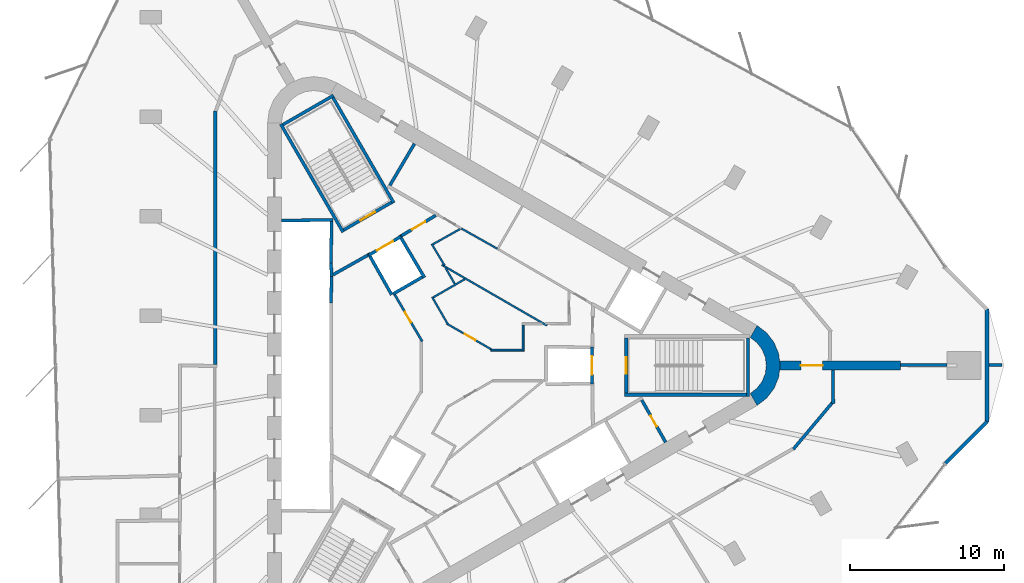
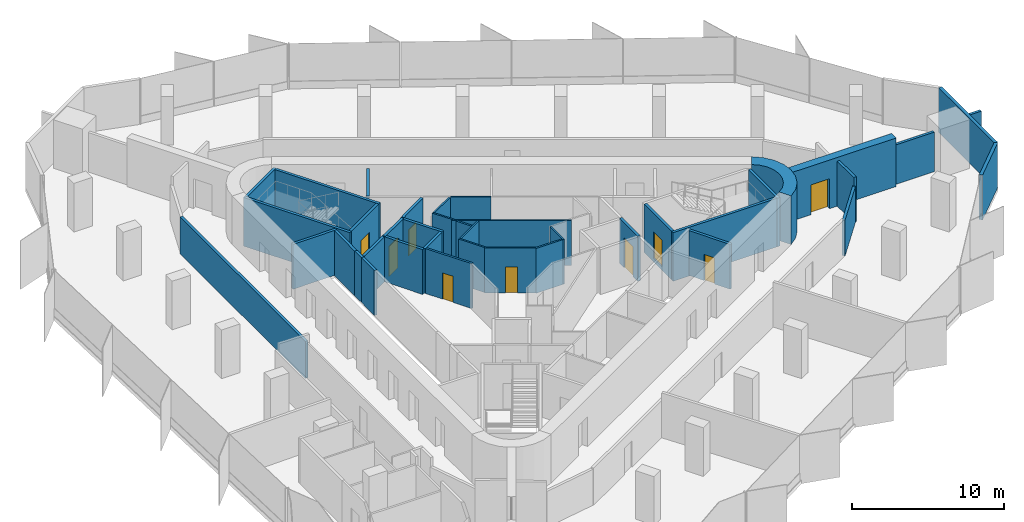
# One storey, part 9 of 12: 40 walls, 9 doors, 9 openings.
"""IFC4 building model written with IfcOpenShell, lengths in metres."""

import ifcopenshell
import ifcopenshell.guid

model = None  # the IFC model being written
_history = None  # IfcOwnerHistory: only IFC2X3 demands one
_inside = {}  # id of a spatial element -> (the spatial element, [elements in it])
_under = {}  # id of a project, library or spatial element -> (it, [spatial elements below it])
_declared = {}  # id of a project -> (the project, [libraries it declares])
_typed = {}  # id of a type object -> (the type object, [elements of that type])
_made_of = {}  # id of a material, layer set ... -> (it, [elements and type objects made of it])


def new_model(schema):
    """Start an empty IFC model of exactly this schema.

    Asked for "IFC4X3", IfcOpenShell would pick the latest addendum, in which some entities
    have other attributes; the version numbers below select the first issue.
    IFC2X3 requires an IfcOwnerHistory on every rooted entity: one is made here for all.
    """
    global model, _history
    if schema == "IFC4X3":
        model = ifcopenshell.file(schema_version=(4, 3, 0, 0))
    else:
        model = ifcopenshell.file(schema=schema)
    _inside.clear()
    _under.clear()
    _declared.clear()
    _typed.clear()
    _made_of.clear()
    _history = None
    if model.schema == "IFC2X3":
        org = make("IfcOrganization", Name="unknown")
        user = make(
            "IfcPersonAndOrganization",
            ThePerson=make("IfcPerson", FamilyName="unknown"),
            TheOrganization=org,
        )
        app = make(
            "IfcApplication",
            ApplicationDeveloper=org,
            Version="unknown",
            ApplicationFullName="unknown",
            ApplicationIdentifier="unknown",
        )
        _history = make(
            "IfcOwnerHistory",
            OwningUser=user,
            OwningApplication=app,
            ChangeAction="ADDED",
            CreationDate=0,
        )
    return model


def make(cls, **values):
    """One entity of the class cls with the attributes given. An attribute that is None is left unset."""
    return model.create_entity(
        cls, **{name: value for name, value in values.items() if value is not None}
    )


def rooted(cls, **values):
    """An entity with a GlobalId (a new one), such as an element, a storey or a relation."""
    return make(cls, GlobalId=ifcopenshell.guid.new(), OwnerHistory=_history, **values)


def si_unit(unit_type, name, prefix=None):
    """IfcSIUnit, for example si_unit("LENGTHUNIT", "METRE", prefix="MILLI")."""
    return make("IfcSIUnit", UnitType=unit_type, Prefix=prefix, Name=name)


def assignment(units):
    """IfcUnitAssignment: the units of a project."""
    return None if units is None else make("IfcUnitAssignment", Units=units)


def point(xyz):
    """IfcCartesianPoint."""
    return None if xyz is None else make("IfcCartesianPoint", Coordinates=xyz)


def direction(xyz):
    """IfcDirection."""
    return None if xyz is None else make("IfcDirection", DirectionRatios=xyz)


def frame(location, z_axis=None, x_axis=None):
    """IfcAxis2Placement3D, a coordinate frame: its origin and axes. An axis left out is left unset."""
    return make(
        "IfcAxis2Placement3D",
        Location=point(location),
        Axis=direction(z_axis),
        RefDirection=direction(x_axis),
    )


def frame_2d(location, x_axis=None):
    """IfcAxis2Placement2D, a coordinate frame in the plane: its origin and x axis."""
    return make(
        "IfcAxis2Placement2D", Location=point(location), RefDirection=direction(x_axis)
    )


def origin():
    """The frame at (0, 0, 0) with its axes left unset."""
    return frame((0.0, 0.0, 0.0))


def place(relative_to, where):
    """IfcLocalPlacement: puts the frame where relative to a parent placement (None: the world)."""
    return make(
        "IfcLocalPlacement", PlacementRelTo=relative_to, RelativePlacement=where
    )


def context(
    kind, dimensions, precision=None, world=None, true_north=None, identifier=None
):
    """IfcGeometricRepresentationContext, for example the 3D "Model" context."""
    return make(
        "IfcGeometricRepresentationContext",
        ContextIdentifier=identifier,
        ContextType=kind,
        CoordinateSpaceDimension=dimensions,
        Precision=precision,
        WorldCoordinateSystem=world,
        TrueNorth=true_north,
    )


def subcontext(parent, identifier, kind, view, scale=None):
    """IfcGeometricRepresentationSubContext, for example "Body" below "Model"."""
    return make(
        "IfcGeometricRepresentationSubContext",
        ContextIdentifier=identifier,
        ContextType=kind,
        ParentContext=parent,
        TargetScale=scale,
        TargetView=view,
    )


def project(units=None, contexts=None):
    """IfcProject with its units and contexts."""
    return rooted(
        "IfcProject",
        Name="project",
        RepresentationContexts=contexts,
        UnitsInContext=assignment(units),
    )


def spatial(cls, under=None, at=None, **own):
    """A site, building, storey or space (cls), placed at a placement, below another one or the project."""
    s = rooted(cls, ObjectPlacement=at, **own)
    if under is not None:
        _under.setdefault(under.id(), (under, []))[1].append(s)
    return s


def polyline(points):
    """IfcPolyline through the points."""
    return make("IfcPolyline", Points=[point(p) for p in points])


def profile(cls, at=None, kind="AREA", **sizes):
    """A parametric profile (cls). Its sizes go by their IFC names, for example OverallWidth=200.0."""
    return make(cls, ProfileType=kind, Position=at, **sizes)


def rectangle(**sizes):
    """IfcRectangleProfileDef."""
    return profile("IfcRectangleProfileDef", **sizes)


def outline(outer, holes=None, kind="AREA"):
    """IfcArbitraryClosedProfileDef: a profile drawn as a closed curve; with holes, ...WithVoids."""
    if holes is None:
        return make("IfcArbitraryClosedProfileDef", ProfileType=kind, OuterCurve=outer)
    return make(
        "IfcArbitraryProfileDefWithVoids",
        ProfileType=kind,
        OuterCurve=outer,
        InnerCurves=holes,
    )


def extrude(swept, where, along, depth):
    """IfcExtrudedAreaSolid: the profile swept, set in the frame where, extruded along a direction by depth."""
    return make(
        "IfcExtrudedAreaSolid",
        SweptArea=swept,
        Position=where,
        ExtrudedDirection=direction(along),
        Depth=depth,
    )


def shape(context_of_items, identifier, shape_type, items):
    """IfcShapeRepresentation: the items that make up one representation, for example the "Body"."""
    return make(
        "IfcShapeRepresentation",
        ContextOfItems=context_of_items,
        RepresentationIdentifier=identifier,
        RepresentationType=shape_type,
        Items=items,
    )


def material(Name=None, Category=None):
    """IfcMaterial."""
    return make("IfcMaterial", Name=Name, Category=Category)


def layer(
    of_material, thickness, ventilated=None, Name=None, Category=None, Priority=None
):
    """IfcMaterialLayer: one layer of a wall or slab, of a material (None: an air gap)."""
    return make(
        "IfcMaterialLayer",
        Material=of_material,
        LayerThickness=thickness,
        IsVentilated=ventilated,
        Name=Name,
        Category=Category,
        Priority=Priority,
    )


def layer_set(layers, Name=None):
    """IfcMaterialLayerSet."""
    return make("IfcMaterialLayerSet", MaterialLayers=layers, LayerSetName=Name)


def made_of(thing, what):
    """Note that an element or type object is made of a material, layer set ...; save() writes the relation."""
    if what is not None:
        _made_of.setdefault(what.id(), (what, []))[1].append(thing)
    return thing


def type_object(cls, material=None, **own):
    """A type object (cls), such as IfcWallType, which elements share."""
    return made_of(rooted(cls, **own), material)


def element(
    cls,
    number,
    at=None,
    inside=None,
    cuts=None,
    type_object=None,
    material=None,
    context=None,
    identifier="Body",
    shape_type=None,
    held_by="IfcProductDefinitionShape",
    body=None,
    shapes=None,
    **own,
):
    """One element of the class cls, such as IfcWall. Its Tag is "e" and its number.

    at: its placement. inside: the storey or other place that contains it. cuts: it is an
    opening in that element (IfcRelVoidsElement). A single representation is given by context,
    identifier, shape_type and body (its items); several are given by shapes. held_by: the class
    of the entity that holds the representations. save() writes the other relations.
    """
    e = rooted(cls, Tag="e%d" % number, ObjectPlacement=at, **own)
    if body is not None:
        shapes = [shape(context, identifier, shape_type, body)]
    if shapes is not None:
        e.Representation = make(held_by, Representations=shapes)
    if inside is not None:
        _inside.setdefault(inside.id(), (inside, []))[1].append(e)
    if cuts is not None:
        rooted(
            "IfcRelVoidsElement", RelatingBuildingElement=cuts, RelatedOpeningElement=e
        )
    if type_object is not None:
        _typed.setdefault(type_object.id(), (type_object, []))[1].append(e)
    return made_of(e, material)


def fill(opening, filler):
    """IfcRelFillsElement: the door or window that sits in an opening."""
    return rooted(
        "IfcRelFillsElement",
        RelatingOpeningElement=opening,
        RelatedBuildingElement=filler,
    )


def aggregate(whole, parts):
    """IfcRelAggregates: a whole, such as a stair, and the parts it consists of."""
    return rooted("IfcRelAggregates", RelatingObject=whole, RelatedObjects=parts)


def save(model, path):
    """Write the relations noted so far, then the file.

    IfcRelAggregates (storeys below a building ...), IfcRelContainedInSpatialStructure (elements
    in a storey), IfcRelDefinesByType, IfcRelAssociatesMaterial and IfcRelDeclares: one each for
    every whole, place, type object, material and project.
    """
    for whole, parts in _under.values():
        aggregate(whole, parts)
    for where, things in _inside.values():
        rooted(
            "IfcRelContainedInSpatialStructure",
            RelatedElements=things,
            RelatingStructure=where,
        )
    for kind, things in _typed.values():
        rooted("IfcRelDefinesByType", RelatedObjects=things, RelatingType=kind)
    for what, things in _made_of.values():
        rooted("IfcRelAssociatesMaterial", RelatedObjects=things, RelatingMaterial=what)
    for by, libraries in _declared.values():
        rooted("IfcRelDeclares", RelatingContext=by, RelatedDefinitions=libraries)
    model.write(path)


model = new_model("IFC4")

# Units and contexts
model_context = context("Model", 3, precision=1e-05, world=origin(), true_north=direction((0.0, 1.0)))
body_context = subcontext(model_context, "Body", "Model", "MODEL_VIEW")
ifc_project = project(units=[si_unit("LENGTHUNIT", "METRE"), si_unit("AREAUNIT", "SQUARE_METRE"), si_unit("VOLUMEUNIT", "CUBIC_METRE"), si_unit("PLANEANGLEUNIT", "RADIAN"), si_unit("MASSUNIT", "GRAM", prefix="KILO")], contexts=[model_context])

# Site, building, storey
site_placement = place(None, origin())
site = spatial("IfcSite", under=ifc_project, at=site_placement, CompositionType="ELEMENT")
building_placement = place(site_placement, origin())
building = spatial("IfcBuilding", under=site, at=building_placement, Name="Tanit Gate Tower", CompositionType="ELEMENT")
storey_placement = place(building_placement, frame((0.0, 0.0, 345.5)))
storey = spatial("IfcBuildingStorey", under=building, at=storey_placement, Name="L78", CompositionType="ELEMENT", Elevation=345.5)

# Wall, opening, door
ifc_material_1 = material(Name="Concrete C40/50", Category="concrete")
ifc_layer_1 = layer(ifc_material_1, 0.60009765625)
ifc_layer_set_1 = layer_set([ifc_layer_1], Name="BUTTRESS FIN 600 C40/50")
wall_type_1 = type_object("IfcWallType", Name="BUTTRESS FIN 600 C40/50", PredefinedType="SHEAR", material=ifc_layer_set_1)
wall_1_placement = place(storey_placement, frame((21.14990234375, 0.0, 0.0), z_axis=(0.0, 0.0, 1.0), x_axis=(1.0, 0.0, 0.0)))
wall_1 = element("IfcWall", 1, at=wall_1_placement, inside=storey, type_object=wall_type_1, Name="BUTTRESS FIN", PredefinedType="SHEAR", context=body_context, shape_type="SweptSolid", body=[
    extrude(rectangle(XDim=7.8544921875, YDim=0.60009765625, at=frame_2d((3.92724609375, 0.0))), origin(), (0.0, 0.0, 1.0), 3.89990234375),
])
opening_1_placement = place(wall_1_placement, frame((1.39990234375, 0.0, 0.0)))
opening_1 = element("IfcOpeningElement", 2, at=opening_1_placement, cuts=wall_1, Name="Opening P14-S22-F-E-1", PredefinedType="OPENING", context=body_context, shape_type="SweptSolid", body=[
    extrude(rectangle(XDim=1.39990234375, YDim=2.39990234375, at=frame_2d((0.699951171875, 1.199951171875))), frame((0.0, 0.31005859375, 0.0), z_axis=(0.0, -1.0, 0.0), x_axis=(1.0, 0.0, 0.0)), (0.0, 0.0, 1.0), 0.6201171875),
])
ifc_material_2 = material(Name="Timber door leaf", Category="wood")
door_type_1 = type_object("IfcDoorType", Name="INT-DOOR-FIN-PAIR-1400", OperationType="NOTDEFINED", PredefinedType="NOTDEFINED", material=ifc_material_2)
door_1_placement = place(opening_1_placement, origin())
door_1 = element("IfcDoor", 3, at=door_1_placement, inside=storey, type_object=door_type_1, Name="Door P14-S22-F-E-1", OperationType="DOUBLE_DOOR_SINGLE_SWING", OverallHeight=2.39990234375, OverallWidth=1.39990234375, PredefinedType="NOTDEFINED", context=body_context, shape_type="SweptSolid", body=[
    extrude(rectangle(XDim=1.39990234375, YDim=2.39990234375, at=frame_2d((0.699951171875, 1.199951171875))), frame((0.0, 0.02490234375, 0.0), z_axis=(0.0, -1.0, 0.0), x_axis=(1.0, 0.0, 0.0)), (0.0, 0.0, 1.0), 0.050048828125),
])
fill(opening_1, door_1)

# Walls
ifc_material_3 = material(Name="Concrete C40/50", Category="concrete")
ifc_layer_2 = layer(ifc_material_3, 0.89990234375)
ifc_layer_set_2 = layer_set([ifc_layer_2], Name="CORE WALL 900 C40/50")
wall_type_2 = type_object("IfcWallType", Name="CORE WALL 900 C40/50", PredefinedType="SHEAR", material=ifc_layer_set_2)
wall_2_placement = place(storey_placement, origin())
element("IfcWall", 4, at=wall_2_placement, inside=storey, type_object=wall_type_2, Name="CORE WALL CORNER", PredefinedType="SHEAR", context=body_context, shape_type="SweptSolid", body=[
    extrude(outline(polyline([(19.699951171875, -2.59814453125), (20.3212890625, -2.121337890625), (20.798095703125, -1.5), (21.097900390625, -0.776611328125), (21.199951171875, 0.0), (21.097900390625, 0.776611328125), (20.798095703125, 1.5), (20.3212890625, 2.121337890625), (19.699951171875, 2.59814453125), (19.25, 1.818603515625), (19.684814453125, 1.48486328125), (20.018798828125, 1.050048828125), (20.228515625, 0.54345703125), (20.300048828125, 0.0), (20.228515625, -0.54345703125), (20.018798828125, -1.050048828125), (19.684814453125, -1.48486328125), (19.25, -1.818603515625), (19.699951171875, -2.59814453125)])), origin(), (0.0, 0.0, 1.0), 3.89990234375),
])
ifc_material_4 = material(Name="Concrete C30/37 with bronze anodised aluminium cladding", Category="concrete")
ifc_layer_3 = layer(ifc_material_4, 0.239990234375)
ifc_layer_set_3 = layer_set([ifc_layer_3], Name="Facade wall bronze clad 240")
wall_type_3 = type_object("IfcWallType", Name="Facade wall bronze clad 240", PredefinedType="SOLIDWALL", material=ifc_layer_set_3)
wall_3_placement = place(storey_placement, frame((31.927001953125, -6.367431640625, 0.0), z_axis=(0.0, 0.0, 1.0), x_axis=(0.707074898653, 0.707138662283, 0.0)))
element("IfcWall", 5, at=wall_3_placement, inside=storey, type_object=wall_type_3, Name="Bronze-clad facade wall L78 E.arc1", PredefinedType="SOLIDWALL", context=body_context, shape_type="SweptSolid", body=[
    extrude(rectangle(XDim=3.828857421875, YDim=0.239990234375, at=frame_2d((1.91455078125, 0.0))), origin(), (0.0, 0.0, 1.0), 3.60009765625),
])
wall_4_placement = place(storey_placement, frame((34.63427734375, -3.659912109375, 0.0), z_axis=(0.0, 0.0, 1.0), x_axis=(0.0, 1.0, 0.0)))
element("IfcWall", 6, at=wall_4_placement, inside=storey, type_object=wall_type_3, Name="Bronze-clad facade wall L78 E.arc2", PredefinedType="SOLIDWALL", context=body_context, shape_type="SweptSolid", body=[
    extrude(rectangle(XDim=7.31982421875, YDim=0.239990234375, at=frame_2d((3.659912109375, 0.0))), origin(), (0.0, 0.0, 1.0), 3.60009765625),
])
ifc_material_5 = material(Name="Fire-rated gypsum board partition")
ifc_layer_4 = layer(ifc_material_5, 0.199951171875)
ifc_layer_set_4 = layer_set([ifc_layer_4], Name="INT-WALL-COMPARTMENT")
wall_type_4 = type_object("IfcWallType", Name="INT-WALL-COMPARTMENT", PredefinedType="PARTITIONING", material=ifc_layer_set_4)
wall_5_placement = place(storey_placement, frame((-2.557861328125, 14.409423828125, 0.0), z_axis=(0.0, 0.0, 1.0), x_axis=(-0.508018930956, -0.861345903683, 0.0)))
element("IfcWall", 7, at=wall_5_placement, inside=storey, type_object=wall_type_4, Name="Wall Compartment W049", PredefinedType="PARTITIONING", context=body_context, shape_type="SweptSolid", body=[
    extrude(rectangle(XDim=3.150146484375, YDim=0.199951171875, at=frame_2d((1.5751953125, 0.0))), origin(), (0.0, 0.0, 1.0), 3.60009765625),
])

# Wall, opening, door
wall_6_placement = place(storey_placement, frame((13.758056640625, -4.989501953125, 0.0), z_axis=(0.0, 0.0, 1.0), x_axis=(-0.491993409184, 0.87059892334, 0.0)))
wall_6 = element("IfcWall", 8, at=wall_6_placement, inside=storey, type_object=wall_type_4, Name="Wall Compartment W061", PredefinedType="PARTITIONING", context=body_context, shape_type="SweptSolid", body=[
    extrude(rectangle(XDim=3.150146484375, YDim=0.199951171875, at=frame_2d((1.5751953125, 0.0))), origin(), (0.0, 0.0, 1.0), 3.60009765625),
])
opening_2_placement = place(wall_6_placement, frame((1.175048828125, 0.0, 0.0)))
opening_2 = element("IfcOpeningElement", 9, at=opening_2_placement, cuts=wall_6, Name="Opening R08-S22-20", PredefinedType="OPENING", context=body_context, shape_type="SweptSolid", body=[
    extrude(rectangle(XDim=0.800048828125, YDim=2.10009765625, at=frame_2d((0.39990234375, 1.050048828125))), frame((0.0, 0.10986328125, 0.0), z_axis=(0.0, -1.0, 0.0), x_axis=(1.0, 0.0, 0.0)), (0.0, 0.0, 1.0), 0.219970703125),
])
ifc_material_6 = material(Name="Timber door leaf", Category="wood")
door_type_2 = type_object("IfcDoorType", Name="INT-DOOR-RISER-800", OperationType="NOTDEFINED", PredefinedType="USERDEFINED", material=ifc_material_6)
door_2_placement = place(opening_2_placement, origin())
door_2 = element("IfcDoor", 10, at=door_2_placement, inside=storey, type_object=door_type_2, Name="Door R08-S22-20", ObjectType="FIRE DOOR", OperationType="SINGLE_SWING_RIGHT", OverallHeight=2.10009765625, OverallWidth=0.800048828125, PredefinedType="USERDEFINED", context=body_context, shape_type="SweptSolid", body=[
    extrude(rectangle(XDim=0.800048828125, YDim=2.10009765625, at=frame_2d((0.39990234375, 1.050048828125))), frame((0.0, 0.02490234375, 0.0), z_axis=(0.0, -1.0, 0.0), x_axis=(1.0, 0.0, 0.0)), (0.0, 0.0, 1.0), 0.050048828125),
])
fill(opening_2, door_2)

# Wall
wall_7_placement = place(storey_placement, frame((-5.600341796875, 7.16015625, 0.0), z_axis=(0.0, 0.0, 1.0), x_axis=(-0.871340486379, -0.490678873396, 0.0)))
element("IfcWall", 11, at=wall_7_placement, inside=storey, type_object=wall_type_4, Name="Wall Compartment W064", PredefinedType="PARTITIONING", context=body_context, shape_type="SweptSolid", body=[
    extrude(rectangle(XDim=2.580810546875, YDim=0.199951171875, at=frame_2d((1.29052734375, 0.0))), origin(), (0.0, 0.0, 1.0), 3.60009765625),
])

# Wall, opening, door
wall_8_placement = place(storey_placement, frame((-1.1787109375, 9.744873046875, 0.0), z_axis=(0.0, 0.0, 1.0), x_axis=(-0.860630814782, -0.509229418482, 0.0)))
wall_8 = element("IfcWall", 12, at=wall_8_placement, inside=storey, type_object=wall_type_4, Name="Wall Compartment W065", PredefinedType="PARTITIONING", context=body_context, shape_type="SweptSolid", body=[
    extrude(rectangle(XDim=2.581787109375, YDim=0.199951171875, at=frame_2d((1.291015625, 0.0))), origin(), (0.0, 0.0, 1.0), 3.60009765625),
])
opening_3_placement = place(wall_8_placement, frame((0.791015625, 0.0, 0.0)))
opening_3 = element("IfcOpeningElement", 13, at=opening_3_placement, cuts=wall_8, Name="Opening F10-S22-05", PredefinedType="OPENING", context=body_context, shape_type="SweptSolid", body=[
    extrude(rectangle(XDim=1.0, YDim=2.10009765625, at=frame_2d((0.5, 1.050048828125))), frame((0.0, 0.10986328125, 0.0), z_axis=(0.0, -1.0, 0.0), x_axis=(1.0, 0.0, 0.0)), (0.0, 0.0, 1.0), 0.219970703125),
])
ifc_material_7 = material(Name="Fire-rated steel door leaf", Category="steel")
door_type_3 = type_object("IfcDoorType", Name="INT-DOOR-FIRE-1000", OperationType="NOTDEFINED", PredefinedType="USERDEFINED", material=ifc_material_7)
door_3_placement = place(opening_3_placement, origin())
door_3 = element("IfcDoor", 14, at=door_3_placement, inside=storey, type_object=door_type_3, Name="Door F10-S22-05", ObjectType="FIRE DOOR", OperationType="SINGLE_SWING_LEFT", OverallHeight=2.10009765625, OverallWidth=1.0, PredefinedType="USERDEFINED", context=body_context, shape_type="SweptSolid", body=[
    extrude(rectangle(XDim=1.0, YDim=2.10009765625, at=frame_2d((0.5, 1.050048828125))), frame((0.0, 0.02490234375, 0.0), z_axis=(0.0, -1.0, 0.0), x_axis=(1.0, 0.0, 0.0)), (0.0, 0.0, 1.0), 0.050048828125),
])
fill(opening_3, door_3)

# Walls
wall_9_placement = place(storey_placement, frame((-15.5, 16.54052734375, 0.0), z_axis=(0.0, 0.0, 1.0), x_axis=(0.0, -1.0, 0.0)))
element("IfcWall", 15, at=wall_9_placement, inside=storey, type_object=wall_type_4, Name="Wall Compartment W102", PredefinedType="PARTITIONING", context=body_context, shape_type="SweptSolid", body=[
    extrude(rectangle(XDim=16.470458984375, YDim=0.199951171875, at=frame_2d((8.2353515625, 0.0))), origin(), (0.0, 0.0, 1.0), 2.969970703125),
])
wall_10_placement = place(storey_placement, frame((24.647705078125, -2.46240234375, 0.0), z_axis=(0.0, 0.0, 1.0), x_axis=(-0.012757232068, 0.999918623204, 0.0)))
element("IfcWall", 16, at=wall_10_placement, inside=storey, type_object=wall_type_4, Name="Wall Compartment W110", PredefinedType="PARTITIONING", context=body_context, shape_type="SweptSolid", body=[
    extrude(rectangle(XDim=2.16259765625, YDim=0.199951171875, at=frame_2d((1.081298828125, 0.0))), origin(), (0.0, 0.0, 1.0), 3.60009765625),
])
wall_11_placement = place(storey_placement, frame((22.05419921875, -5.435302734375, 0.0), z_axis=(0.0, 0.0, 1.0), x_axis=(0.642790979996, 0.766041615081, 0.0)))
element("IfcWall", 17, at=wall_11_placement, inside=storey, type_object=wall_type_4, Name="Wall Compartment W111", PredefinedType="PARTITIONING", context=body_context, shape_type="SweptSolid", body=[
    extrude(rectangle(XDim=3.9833984375, YDim=0.199951171875, at=frame_2d((1.99169921875, 0.0))), origin(), (0.0, 0.0, 1.0), 2.8798828125),
])
wall_12_placement = place(storey_placement, frame((29.00439453125, 0.017822265625, 0.0), z_axis=(0.0, 0.0, 1.0), x_axis=(0.999991911041, 0.004022170023, 0.0)))
element("IfcWall", 18, at=wall_12_placement, inside=storey, type_object=wall_type_4, Name="Wall Compartment W131", PredefinedType="PARTITIONING", context=body_context, shape_type="SweptSolid", body=[
    extrude(rectangle(XDim=3.034912109375, YDim=0.199951171875, at=frame_2d((1.517578125, 0.0))), origin(), (0.0, 0.0, 1.0), 3.169921875),
])
wall_13_placement = place(storey_placement, frame((34.75439453125, 0.030029296875, 0.0), z_axis=(0.0, 0.0, 1.0), x_axis=(1.0, 0.0, 0.0)))
element("IfcWall", 19, at=wall_13_placement, inside=storey, type_object=wall_type_4, Name="Wall Compartment W132", PredefinedType="PARTITIONING", context=body_context, shape_type="SweptSolid", body=[
    extrude(rectangle(XDim=0.8525390625, YDim=0.199951171875, at=frame_2d((0.42626953125, 0.0))), origin(), (0.0, 0.0, 1.0), 3.60009765625),
])
ifc_material_8 = material(Name="Gypsum board partition")
ifc_layer_5 = layer(ifc_material_8, 0.1201171875)
ifc_layer_set_5 = layer_set([ifc_layer_5], Name="INT-WALL-PARTITION")
wall_type_5 = type_object("IfcWallType", Name="INT-WALL-PARTITION", PredefinedType="PARTITIONING", material=ifc_layer_set_5)
wall_14_placement = place(storey_placement, frame((0.493896484375, 8.895751953125, 0.0), z_axis=(0.0, 0.0, 1.0), x_axis=(0.871426548871, -0.490526013503, 0.0)))
element("IfcWall", 20, at=wall_14_placement, inside=storey, type_object=wall_type_5, Name="Wall Partition W050", PredefinedType="PARTITIONING", context=body_context, shape_type="SweptSolid", body=[
    extrude(rectangle(XDim=2.670166015625, YDim=0.1201171875, at=frame_2d((1.3349609375, 0.0))), origin(), (0.0, 0.0, 1.0), 3.60009765625),
])
wall_15_placement = place(storey_placement, frame((-0.786376953125, 6.5380859375, 0.0), z_axis=(0.0, 0.0, 1.0), x_axis=(0.866034288228, -0.499984611377, 0.0)))
element("IfcWall", 21, at=wall_15_placement, inside=storey, type_object=wall_type_5, Name="Wall Partition W079", PredefinedType="PARTITIONING", context=body_context, shape_type="SweptSolid", body=[
    extrude(rectangle(XDim=7.900146484375, YDim=0.1201171875, at=frame_2d((3.9501953125, 0.0))), origin(), (0.0, 0.0, 1.0), 3.60009765625),
])
wall_16_placement = place(storey_placement, frame((4.5, 0.93994140625, 0.0), z_axis=(0.0, 0.0, 1.0), x_axis=(0.0, 1.0, 0.0)))
element("IfcWall", 22, at=wall_16_placement, inside=storey, type_object=wall_type_5, Name="Wall Partition W081", PredefinedType="PARTITIONING", context=body_context, shape_type="SweptSolid", body=[
    extrude(rectangle(XDim=1.699951171875, YDim=0.1201171875, at=frame_2d((0.85009765625, 0.0))), origin(), (0.0, 0.0, 1.0), 3.60009765625),
])
wall_17_placement = place(storey_placement, frame((2.407470703125, 1.0, 0.0), z_axis=(0.0, 0.0, 1.0), x_axis=(1.0, 0.0, 0.0)))
element("IfcWall", 23, at=wall_17_placement, inside=storey, type_object=wall_type_5, Name="Wall Partition W082", PredefinedType="PARTITIONING", context=body_context, shape_type="SweptSolid", body=[
    extrude(rectangle(XDim=2.032470703125, YDim=0.1201171875, at=frame_2d((1.01611328125, 0.0))), origin(), (0.0, 0.0, 1.0), 3.60009765625),
])

# Wall, opening, door
wall_18_placement = place(storey_placement, frame((-0.479736328125, 2.72705078125, 0.0), z_axis=(0.0, 0.0, 1.0), x_axis=(0.86601279846, -0.500021832428, 0.0)))
wall_18 = element("IfcWall", 24, at=wall_18_placement, inside=storey, type_object=wall_type_5, Name="Wall Partition W083", PredefinedType="PARTITIONING", context=body_context, shape_type="SweptSolid", body=[
    extrude(rectangle(XDim=3.435302734375, YDim=0.1201171875, at=frame_2d((1.7177734375, 0.0))), origin(), (0.0, 0.0, 1.0), 3.60009765625),
])
opening_4_placement = place(wall_18_placement, frame((1.36962890625, 0.0, 0.0)))
opening_4 = element("IfcOpeningElement", 25, at=opening_4_placement, cuts=wall_18, Name="Opening R08-S22-13", PredefinedType="OPENING", context=body_context, shape_type="SweptSolid", body=[
    extrude(rectangle(XDim=0.800048828125, YDim=2.10009765625, at=frame_2d((0.39990234375, 1.050048828125))), frame((0.0, 0.070068359375, 0.0), z_axis=(0.0, -1.0, 0.0), x_axis=(1.0, 0.0, 0.0)), (0.0, 0.0, 1.0), 0.14013671875),
])
door_4_placement = place(opening_4_placement, origin())
door_4 = element("IfcDoor", 26, at=door_4_placement, inside=storey, type_object=door_type_2, Name="Door R08-S22-13", ObjectType="FIRE DOOR", OperationType="SINGLE_SWING_RIGHT", OverallHeight=2.10009765625, OverallWidth=0.800048828125, PredefinedType="USERDEFINED", context=body_context, shape_type="SweptSolid", body=[
    extrude(rectangle(XDim=0.800048828125, YDim=2.10009765625, at=frame_2d((0.39990234375, 1.050048828125))), frame((0.0, 0.02490234375, 0.0), z_axis=(0.0, -1.0, 0.0), x_axis=(1.0, 0.0, 0.0)), (0.0, 0.0, 1.0), 0.050048828125),
])
fill(opening_4, door_4)

# Walls
wall_19_placement = place(storey_placement, frame((-1.4140625, 4.448974609375, 0.0), z_axis=(0.0, 0.0, 1.0), x_axis=(0.500097243556, -0.865969252911, 0.0)))
element("IfcWall", 27, at=wall_19_placement, inside=storey, type_object=wall_type_5, Name="Wall Partition W084", PredefinedType="PARTITIONING", context=body_context, shape_type="SweptSolid", body=[
    extrude(rectangle(XDim=2.02978515625, YDim=0.1201171875, at=frame_2d((1.014892578125, 0.0))), origin(), (0.0, 0.0, 1.0), 3.60009765625),
])
wall_20_placement = place(storey_placement, frame((0.708984375, 5.60546875, 0.0), z_axis=(0.0, 0.0, 1.0), x_axis=(-0.8660096254, -0.500027327967, 0.0)))
element("IfcWall", 28, at=wall_20_placement, inside=storey, type_object=wall_type_5, Name="Wall Partition W085", PredefinedType="PARTITIONING", context=body_context, shape_type="SweptSolid", body=[
    extrude(rectangle(XDim=2.356689453125, YDim=0.1201171875, at=frame_2d((1.17822265625, 0.0))), origin(), (0.0, 0.0, 1.0), 3.60009765625),
])
wall_21_placement = place(storey_placement, frame((-0.532470703125, 6.322265625, 0.0), z_axis=(0.0, 0.0, 1.0), x_axis=(0.50005036918, -0.865996321171, 0.0)))
element("IfcWall", 29, at=wall_21_placement, inside=storey, type_object=wall_type_5, Name="Wall Partition W086", PredefinedType="PARTITIONING", context=body_context, shape_type="SweptSolid", body=[
    extrude(rectangle(XDim=1.181640625, YDim=0.1201171875, at=frame_2d((0.5908203125, 0.0))), origin(), (0.0, 0.0, 1.0), 3.60009765625),
])
wall_22_placement = place(storey_placement, frame((-1.442626953125, 7.896728515625, 0.0), z_axis=(0.0, 0.0, 1.0), x_axis=(0.514937238613, -0.85722788119, 0.0)))
element("IfcWall", 30, at=wall_22_placement, inside=storey, type_object=wall_type_5, Name="Wall Partition W087", PredefinedType="PARTITIONING", context=body_context, shape_type="SweptSolid", body=[
    extrude(rectangle(XDim=1.626220703125, YDim=0.1201171875, at=frame_2d((0.81298828125, 0.0))), origin(), (0.0, 0.0, 1.0), 3.60009765625),
])
wall_23_placement = place(storey_placement, frame((0.414306640625, 8.87109375, 0.0), z_axis=(0.0, 0.0, 1.0), x_axis=(-0.871809386997, -0.48984527429, 0.0)))
element("IfcWall", 31, at=wall_23_placement, inside=storey, type_object=wall_type_5, Name="Wall Partition W088", PredefinedType="PARTITIONING", context=body_context, shape_type="SweptSolid", body=[
    extrude(rectangle(XDim=2.034423828125, YDim=0.1201171875, at=frame_2d((1.01708984375, 0.0))), origin(), (0.0, 0.0, 1.0), 3.60009765625),
])

# Wall, opening, door
ifc_material_9 = material(Name="Fire-rated gypsum board partition")
ifc_layer_6 = layer(ifc_material_9, 0.14990234375)
ifc_layer_set_6 = layer_set([ifc_layer_6], Name="INT-WALL-RISER")
wall_type_6 = type_object("IfcWallType", Name="INT-WALL-RISER", PredefinedType="PLUMBINGWALL", material=ifc_layer_set_6)
wall_24_placement = place(storey_placement, frame((-2.05712890625, 1.565185546875, 0.0), z_axis=(0.0, 0.0, 1.0), x_axis=(-0.507299271879, 0.861769951176, 0.0)))
wall_24 = element("IfcWall", 32, at=wall_24_placement, inside=storey, type_object=wall_type_6, Name="Wall Riser W068", PredefinedType="PLUMBINGWALL", context=body_context, shape_type="SweptSolid", body=[
    extrude(rectangle(XDim=3.51611328125, YDim=0.14990234375, at=frame_2d((1.758056640625, 0.0))), origin(), (0.0, 0.0, 1.0), 3.60009765625),
])
opening_5_placement = place(wall_24_placement, frame((1.421630859375, 0.0, 0.0)))
opening_5 = element("IfcOpeningElement", 33, at=opening_5_placement, cuts=wall_24, Name="Opening R08-S22-10", PredefinedType="OPENING", context=body_context, shape_type="SweptSolid", body=[
    extrude(rectangle(XDim=0.800048828125, YDim=2.10009765625, at=frame_2d((0.39990234375, 1.050048828125))), frame((0.0, 0.0849609375, 0.0), z_axis=(0.0, -1.0, 0.0), x_axis=(1.0, 0.0, 0.0)), (0.0, 0.0, 1.0), 0.169921875),
])
door_5_placement = place(opening_5_placement, origin())
door_5 = element("IfcDoor", 34, at=door_5_placement, inside=storey, type_object=door_type_2, Name="Door R08-S22-10", ObjectType="FIRE DOOR", OperationType="SINGLE_SWING_RIGHT", OverallHeight=2.10009765625, OverallWidth=0.800048828125, PredefinedType="USERDEFINED", context=body_context, shape_type="SweptSolid", body=[
    extrude(rectangle(XDim=0.800048828125, YDim=2.10009765625, at=frame_2d((0.39990234375, 1.050048828125))), frame((0.0, 0.02490234375, 0.0), z_axis=(0.0, -1.0, 0.0), x_axis=(1.0, 0.0, 0.0)), (0.0, 0.0, 1.0), 0.050048828125),
])
fill(opening_5, door_5)

# Walls
ifc_material_10 = material(Name="Gypsum shaft wall system")
ifc_layer_7 = layer(ifc_material_10, 0.199951171875)
ifc_layer_set_7 = layer_set([ifc_layer_7], Name="INT-WALL-SHAFT")
wall_type_7 = type_object("IfcWallType", Name="INT-WALL-SHAFT", PredefinedType="PLUMBINGWALL", material=ifc_layer_set_7)
wall_25_placement = place(storey_placement, frame((-11.199951171875, 9.419921875, 0.0), z_axis=(0.0, 0.0, 1.0), x_axis=(0.999957167047, 0.009255488683, 0.0)))
element("IfcWall", 35, at=wall_25_placement, inside=storey, type_object=wall_type_7, Name="Wall Shaft W001", PredefinedType="PLUMBINGWALL", context=body_context, shape_type="SweptSolid", body=[
    extrude(rectangle(XDim=3.35009765625, YDim=0.199951171875, at=frame_2d((1.675048828125, 0.0))), origin(), (0.0, 0.0, 1.0), 3.60009765625),
])
wall_26_placement = place(storey_placement, frame((-7.951171875, 9.35009765625, 0.0), z_axis=(0.0, 0.0, 1.0), x_axis=(-0.011120469654, -0.999938165666, 0.0)))
element("IfcWall", 36, at=wall_26_placement, inside=storey, type_object=wall_type_7, Name="Wall Shaft W002", PredefinedType="PLUMBINGWALL", context=body_context, shape_type="SweptSolid", body=[
    extrude(rectangle(XDim=2.700439453125, YDim=0.199951171875, at=frame_2d((1.35009765625, 0.0))), origin(), (0.0, 0.0, 1.0), 3.60009765625),
])
wall_27_placement = place(storey_placement, frame((-7.97705078125, 6.650146484375, 0.0), z_axis=(0.0, 0.0, 1.0), x_axis=(0.030861509705, -0.999523670164, 0.0)))
element("IfcWall", 37, at=wall_27_placement, inside=storey, type_object=wall_type_7, Name="Wall Shaft W003", PredefinedType="PLUMBINGWALL", context=body_context, shape_type="SweptSolid", body=[
    extrude(rectangle(XDim=0.878173828125, YDim=0.199951171875, at=frame_2d((0.43896484375, 0.0))), origin(), (0.0, 0.0, 1.0), 3.60009765625),
])
wall_28_placement = place(storey_placement, frame((-7.948974609375, 5.894287109375, 0.0), z_axis=(0.0, 0.0, 1.0), x_axis=(-0.016809909365, -0.999858703491, 0.0)))
element("IfcWall", 38, at=wall_28_placement, inside=storey, type_object=wall_type_7, Name="Wall Shaft W004", PredefinedType="PLUMBINGWALL", context=body_context, shape_type="SweptSolid", body=[
    extrude(rectangle(XDim=1.844482421875, YDim=0.199951171875, at=frame_2d((0.92236328125, 0.0))), origin(), (0.0, 0.0, 1.0), 3.60009765625),
])

# Wall, opening, door
wall_29_placement = place(storey_placement, frame((8.969970703125, 1.199951171875, 0.0), z_axis=(0.0, 0.0, 1.0), x_axis=(0.0, -1.0, 0.0)))
wall_29 = element("IfcWall", 39, at=wall_29_placement, inside=storey, type_object=wall_type_7, Name="Wall Shaft W024", PredefinedType="PLUMBINGWALL", context=body_context, shape_type="SweptSolid", body=[
    extrude(rectangle(XDim=2.39990234375, YDim=0.199951171875, at=frame_2d((1.199951171875, 0.0))), origin(), (0.0, 0.0, 1.0), 3.60009765625),
])
opening_6_placement = place(wall_29_placement, frame((0.60009765625, 0.0, 0.0)))
opening_6 = element("IfcOpeningElement", 40, at=opening_6_placement, cuts=wall_29, Name="Opening LDFL1-L78", PredefinedType="OPENING", context=body_context, shape_type="SweptSolid", body=[
    extrude(rectangle(XDim=1.199951171875, YDim=2.39990234375, at=frame_2d((0.60009765625, 1.199951171875))), frame((0.0, 0.10986328125, 0.0), z_axis=(0.0, -1.0, 0.0), x_axis=(1.0, 0.0, 0.0)), (0.0, 0.0, 1.0), 0.219970703125),
])
ifc_material_11 = material(Name="Stainless steel sliding door leaf", Category="steel")
door_type_4 = type_object("IfcDoorType", Name="INT-DOOR-LANDING-1200", OperationType="NOTDEFINED", PredefinedType="USERDEFINED", material=ifc_material_11)
door_6_placement = place(opening_6_placement, origin())
door_6 = element("IfcDoor", 41, at=door_6_placement, inside=storey, type_object=door_type_4, Name="Door LDFL1-L78", ObjectType="LANDING DOOR", OperationType="SLIDING_TO_LEFT", OverallHeight=2.39990234375, OverallWidth=1.199951171875, PredefinedType="USERDEFINED", context=body_context, shape_type="SweptSolid", body=[
    extrude(rectangle(XDim=1.199951171875, YDim=2.39990234375, at=frame_2d((0.60009765625, 1.199951171875))), frame((0.0, 0.02490234375, 0.0), z_axis=(0.0, -1.0, 0.0), x_axis=(1.0, 0.0, 0.0)), (0.0, 0.0, 1.0), 0.050048828125),
])
fill(opening_6, door_6)

wall_30_placement = place(storey_placement, frame((-5.524169921875, 7.168212890625, 0.0), z_axis=(0.0, 0.0, 1.0), x_axis=(0.866024647952, 0.500001309137, 0.0)))
wall_30 = element("IfcWall", 42, at=wall_30_placement, inside=storey, type_object=wall_type_7, Name="Wall Shaft W032", PredefinedType="PLUMBINGWALL", context=body_context, shape_type="SweptSolid", body=[
    extrude(rectangle(XDim=2.39990234375, YDim=0.199951171875, at=frame_2d((1.199951171875, 0.0))), origin(), (0.0, 0.0, 1.0), 3.60009765625),
])
opening_7_placement = place(wall_30_placement, frame((0.60009765625, 0.0, 0.0)))
opening_7 = element("IfcOpeningElement", 43, at=opening_7_placement, cuts=wall_30, Name="Opening LDFL2-L78", PredefinedType="OPENING", context=body_context, shape_type="SweptSolid", body=[
    extrude(rectangle(XDim=1.199951171875, YDim=2.39990234375, at=frame_2d((0.60009765625, 1.199951171875))), frame((0.0, 0.10986328125, 0.0), z_axis=(0.0, -1.0, 0.0), x_axis=(1.0, 0.0, 0.0)), (0.0, 0.0, 1.0), 0.219970703125),
])
door_7_placement = place(opening_7_placement, origin())
door_7 = element("IfcDoor", 44, at=door_7_placement, inside=storey, type_object=door_type_4, Name="Door LDFL2-L78", ObjectType="LANDING DOOR", OperationType="SLIDING_TO_LEFT", OverallHeight=2.39990234375, OverallWidth=1.199951171875, PredefinedType="USERDEFINED", context=body_context, shape_type="SweptSolid", body=[
    extrude(rectangle(XDim=1.199951171875, YDim=2.39990234375, at=frame_2d((0.60009765625, 1.199951171875))), frame((0.0, 0.02490234375, 0.0), z_axis=(0.0, -1.0, 0.0), x_axis=(1.0, 0.0, 0.0)), (0.0, 0.0, 1.0), 0.050048828125),
])
fill(opening_7, door_7)

# Walls
wall_31_placement = place(storey_placement, frame((-4.039306640625, 4.59619140625, 0.0), z_axis=(0.0, 0.0, 1.0), x_axis=(-0.491322718731, 0.870977603649, 0.0)))
element("IfcWall", 45, at=wall_31_placement, inside=storey, type_object=wall_type_7, Name="Wall Shaft W033", PredefinedType="PLUMBINGWALL", context=body_context, shape_type="SweptSolid", body=[
    extrude(rectangle(XDim=3.10009765625, YDim=0.199951171875, at=frame_2d((1.550048828125, 0.0))), origin(), (0.0, 0.0, 1.0), 3.60009765625),
])
wall_32_placement = place(storey_placement, frame((-3.53759765625, 8.46533203125, 0.0), z_axis=(0.0, 0.0, 1.0), x_axis=(0.508616218331, -0.860993346345, 0.0)))
element("IfcWall", 46, at=wall_32_placement, inside=storey, type_object=wall_type_7, Name="Wall Shaft W034", PredefinedType="PLUMBINGWALL", context=body_context, shape_type="SweptSolid", body=[
    extrude(rectangle(XDim=3.2001953125, YDim=0.199951171875, at=frame_2d((1.60009765625, 0.0))), origin(), (0.0, 0.0, 1.0), 3.60009765625),
])
wall_33_placement = place(storey_placement, frame((-2.04736328125, 5.74609375, 0.0), z_axis=(0.0, 0.0, 1.0), x_axis=(-0.866019606374, -0.500010041276, 0.0)))
element("IfcWall", 47, at=wall_33_placement, inside=storey, type_object=wall_type_7, Name="Wall Shaft W035", PredefinedType="PLUMBINGWALL", context=body_context, shape_type="SweptSolid", body=[
    extrude(rectangle(XDim=2.20458984375, YDim=0.199951171875, at=frame_2d((1.102294921875, 0.0))), origin(), (0.0, 0.0, 1.0), 3.60009765625),
])
ifc_material_12 = material(Name="Concrete C40/50", Category="concrete")
ifc_layer_8 = layer(ifc_material_12, 0.199951171875)
ifc_layer_set_8 = layer_set([ifc_layer_8], Name="INT-WALL-STAIR")
wall_type_8 = type_object("IfcWallType", Name="INT-WALL-STAIR", PredefinedType="SHEAR", material=ifc_layer_set_8)
wall_34_placement = place(storey_placement, frame((19.10009765625, -2.0, -0.300048828125), z_axis=(0.0, 0.0, 1.0), x_axis=(0.0, 1.0, 0.0)))
element("IfcWall", 48, at=wall_34_placement, inside=storey, type_object=wall_type_8, Name="Wall Stair W021", PredefinedType="SHEAR", context=body_context, shape_type="SweptSolid", body=[
    extrude(rectangle(XDim=3.800048828125, YDim=0.199951171875, at=frame_2d((1.89990234375, 0.0))), origin(), (0.0, 0.0, 1.0), 3.900146484375),
])
wall_35_placement = place(storey_placement, frame((11.10009765625, -1.89990234375, -0.300048828125), z_axis=(0.0, 0.0, 1.0), x_axis=(1.0, 0.0, 0.0)))
element("IfcWall", 49, at=wall_35_placement, inside=storey, type_object=wall_type_8, Name="Wall Stair W022", PredefinedType="SHEAR", context=body_context, shape_type="SweptSolid", body=[
    extrude(rectangle(XDim=7.89990234375, YDim=0.199951171875, at=frame_2d((3.949951171875, 0.0))), origin(), (0.0, 0.0, 1.0), 3.900146484375),
])

# Wall, opening, door
wall_36_placement = place(storey_placement, frame((11.199951171875, -1.800048828125, -0.300048828125), z_axis=(0.0, 0.0, 1.0), x_axis=(0.0, 1.0, 0.0)))
wall_36 = element("IfcWall", 50, at=wall_36_placement, inside=storey, type_object=wall_type_8, Name="Wall Stair W023", PredefinedType="SHEAR", context=body_context, shape_type="SweptSolid", body=[
    extrude(rectangle(XDim=3.60009765625, YDim=0.199951171875, at=frame_2d((1.800048828125, 0.0))), origin(), (0.0, 0.0, 1.0), 3.900146484375),
])
opening_8_placement = place(wall_36_placement, frame((1.25, 0.0, 0.300048828125)))
opening_8 = element("IfcOpeningElement", 51, at=opening_8_placement, cuts=wall_36, Name="Opening S11-S22-01", PredefinedType="OPENING", context=body_context, shape_type="SweptSolid", body=[
    extrude(rectangle(XDim=1.10009765625, YDim=2.10009765625, at=frame_2d((0.550048828125, 1.050048828125))), frame((0.0, 0.10986328125, 0.0), z_axis=(0.0, -1.0, 0.0), x_axis=(1.0, 0.0, 0.0)), (0.0, 0.0, 1.0), 0.219970703125),
])
ifc_material_13 = material(Name="Timber door leaf", Category="wood")
door_type_5 = type_object("IfcDoorType", Name="INT-DOOR-STAIR-1100", OperationType="NOTDEFINED", PredefinedType="USERDEFINED", material=ifc_material_13)
door_8_placement = place(opening_8_placement, origin())
door_8 = element("IfcDoor", 52, at=door_8_placement, inside=storey, type_object=door_type_5, Name="Door S11-S22-01", ObjectType="FIRE DOOR", OperationType="SINGLE_SWING_LEFT", OverallHeight=2.10009765625, OverallWidth=1.10009765625, PredefinedType="USERDEFINED", context=body_context, shape_type="SweptSolid", body=[
    extrude(rectangle(XDim=1.10009765625, YDim=2.10009765625, at=frame_2d((0.550048828125, 1.050048828125))), frame((0.0, 0.02490234375, 0.0), z_axis=(0.0, -1.0, 0.0), x_axis=(1.0, 0.0, 0.0)), (0.0, 0.0, 1.0), 0.050048828125),
])
fill(opening_8, door_8)

# Walls
wall_37_placement = place(storey_placement, frame((-11.245361328125, 15.677734375, -0.300048828125), z_axis=(0.0, 0.0, 1.0), x_axis=(0.499977274689, -0.866038523851, 0.0)))
element("IfcWall", 53, at=wall_37_placement, inside=storey, type_object=wall_type_8, Name="Wall Stair W028", PredefinedType="SHEAR", context=body_context, shape_type="SweptSolid", body=[
    extrude(rectangle(XDim=8.10009765625, YDim=0.199951171875, at=frame_2d((4.050048828125, 0.0))), origin(), (0.0, 0.0, 1.0), 3.900146484375),
])
wall_38_placement = place(storey_placement, frame((-7.81787109375, 17.541015625, -0.300048828125), z_axis=(0.0, 0.0, 1.0), x_axis=(-0.866044365799, -0.499967155389, 0.0)))
element("IfcWall", 54, at=wall_38_placement, inside=storey, type_object=wall_type_8, Name="Wall Stair W029", PredefinedType="SHEAR", context=body_context, shape_type="SweptSolid", body=[
    extrude(rectangle(XDim=3.800048828125, YDim=0.199951171875, at=frame_2d((1.89990234375, 0.0))), origin(), (0.0, 0.0, 1.0), 3.900146484375),
])
wall_39_placement = place(storey_placement, frame((-7.8544921875, 17.404541015625, -0.300048828125), z_axis=(0.0, 0.0, 1.0), x_axis=(0.499997992926, -0.866026562566, 0.0)))
element("IfcWall", 55, at=wall_39_placement, inside=storey, type_object=wall_type_8, Name="Wall Stair W030", PredefinedType="SHEAR", context=body_context, shape_type="SweptSolid", body=[
    extrude(rectangle(XDim=7.89990234375, YDim=0.199951171875, at=frame_2d((3.949951171875, 0.0))), origin(), (0.0, 0.0, 1.0), 3.900146484375),
])

# Wall, opening, door
wall_40_placement = place(storey_placement, frame((-7.158935546875, 8.799560546875, -0.300048828125), z_axis=(0.0, 0.0, 1.0), x_axis=(0.866047807691, 0.499961193289, 0.0)))
wall_40 = element("IfcWall", 56, at=wall_40_placement, inside=storey, type_object=wall_type_8, Name="Wall Stair W031", PredefinedType="SHEAR", context=body_context, shape_type="SweptSolid", body=[
    extrude(rectangle(XDim=3.599853515625, YDim=0.199951171875, at=frame_2d((1.7998046875, 0.0))), origin(), (0.0, 0.0, 1.0), 3.900146484375),
])
opening_9_placement = place(wall_40_placement, frame((1.25, 0.0, 0.300048828125)))
opening_9 = element("IfcOpeningElement", 57, at=opening_9_placement, cuts=wall_40, Name="Opening S11-S22-04", PredefinedType="OPENING", context=body_context, shape_type="SweptSolid", body=[
    extrude(rectangle(XDim=1.10009765625, YDim=2.10009765625, at=frame_2d((0.550048828125, 1.050048828125))), frame((0.0, 0.10986328125, 0.0), z_axis=(0.0, -1.0, 0.0), x_axis=(1.0, 0.0, 0.0)), (0.0, 0.0, 1.0), 0.219970703125),
])
door_9_placement = place(opening_9_placement, origin())
door_9 = element("IfcDoor", 58, at=door_9_placement, inside=storey, type_object=door_type_5, Name="Door S11-S22-04", ObjectType="FIRE DOOR", OperationType="SINGLE_SWING_LEFT", OverallHeight=2.10009765625, OverallWidth=1.10009765625, PredefinedType="USERDEFINED", context=body_context, shape_type="SweptSolid", body=[
    extrude(rectangle(XDim=1.10009765625, YDim=2.10009765625, at=frame_2d((0.550048828125, 1.050048828125))), frame((0.0, 0.02490234375, 0.0), z_axis=(0.0, -1.0, 0.0), x_axis=(1.0, 0.0, 0.0)), (0.0, 0.0, 1.0), 0.050048828125),
])
fill(opening_9, door_9)

save(model, "model.ifc")
